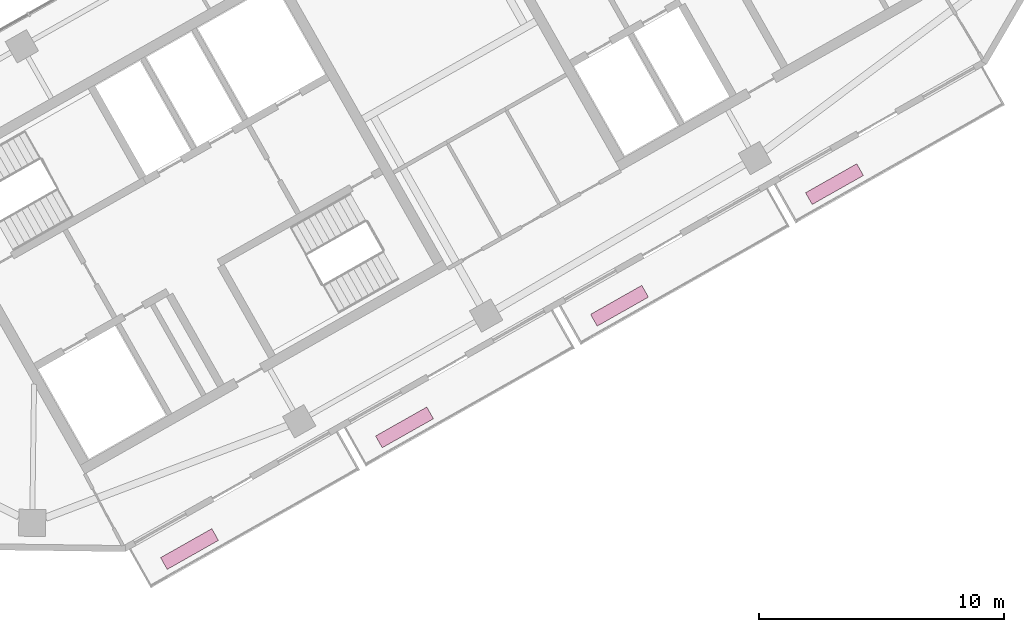
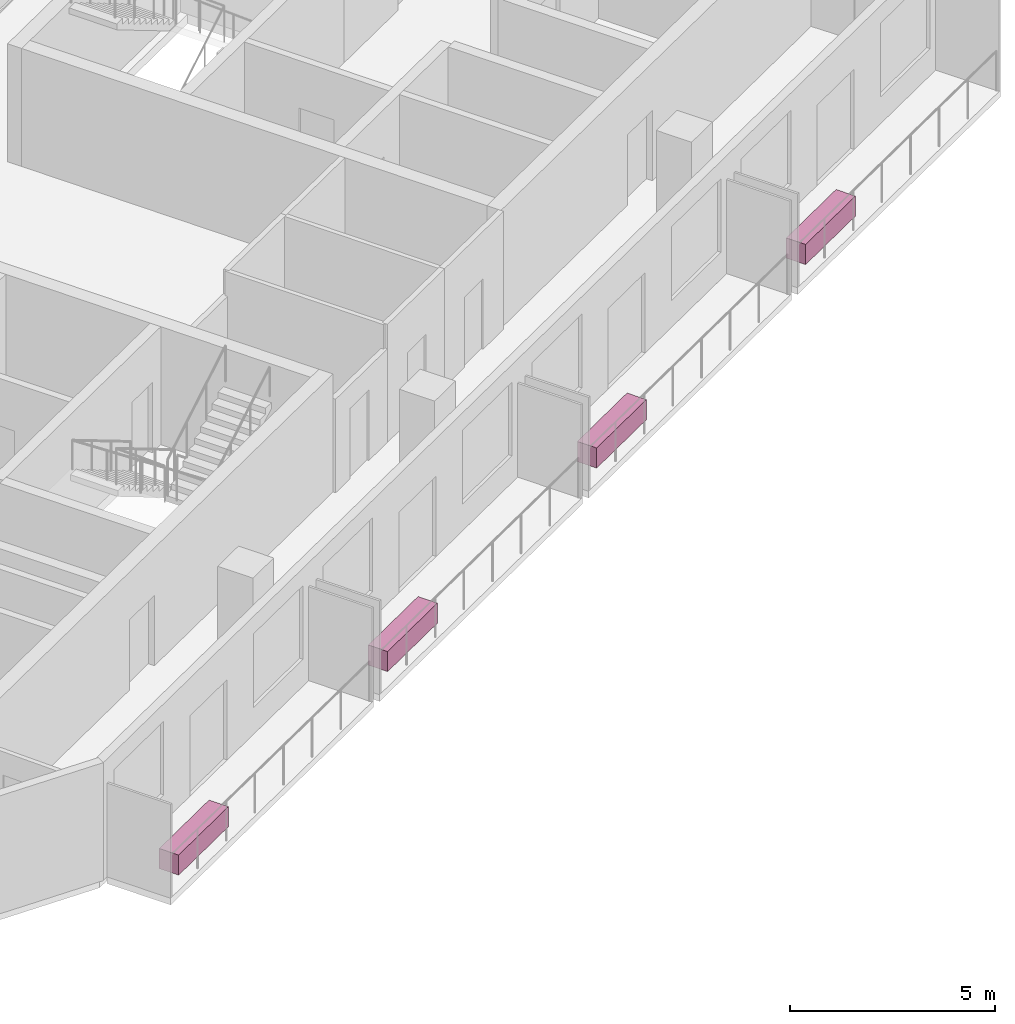
# One storey, part 10 of 10: 4 furnishings.
"""IFC4 building model written with IfcOpenShell, lengths in metres."""

from ifc_helpers import new_model, si_unit, direction, frame, origin, origin_2d, place, context, subcontext, project, spatial, rectangle, extrude, material, type_object, element, save


model = new_model("IFC4")

# Units and contexts
model_context = context("Model", 3, precision=1e-05, world=origin(), true_north=direction((0.0, 1.0)))
body_context = subcontext(model_context, "Body", "Model", "MODEL_VIEW")
ifc_project = project(units=[si_unit("LENGTHUNIT", "METRE"), si_unit("AREAUNIT", "SQUARE_METRE"), si_unit("VOLUMEUNIT", "CUBIC_METRE"), si_unit("PLANEANGLEUNIT", "RADIAN"), si_unit("MASSUNIT", "GRAM", prefix="KILO")], contexts=[model_context])

# Site, building, storey
site_placement = place(None, origin())
site = spatial("IfcSite", under=ifc_project, at=site_placement, CompositionType="ELEMENT")
building_placement = place(site_placement, origin())
building = spatial("IfcBuilding", under=site, at=building_placement, Name="Binnacle Exchange Tower", CompositionType="ELEMENT")
storey_placement = place(building_placement, frame((0.0, 0.0, 331.699951171875)))
storey = spatial("IfcBuildingStorey", under=building, at=storey_placement, Name="L75", CompositionType="ELEMENT", Elevation=331.699951171875)

# Furnishings
ifc_material = material(Name="Concrete C35/45", Category="concrete")
furnishing_element_type = type_object("IfcFurnishingElementType", Name="PLANTER 2400x550x600", material=ifc_material)
for number, where, z_axis, x_axis, name in (
    (1, (-35.44677734375, 26.428466796875, 0.0), (0.0, 0.0, 1.0), (0.87035569594, 0.492423560103, 0.0), "Planter H07-B00a L75"),
    (2, (-26.683837890625, 31.38623046875, 0.0), (0.0, 0.0, 1.0), (0.87035569594, 0.492423560103, 0.0), "Planter H07-B01a L75"),
    (3, (-17.9208984375, 36.34423828125, 0.0), (0.0, 0.0, 1.0), (0.87035569594, 0.492423560103, 0.0), "Planter H07-B02a L75"),
    (4, (-9.158203125, 41.302001953125, 0.0), (0.0, 0.0, 1.0), (0.87035569594, 0.492423560103, 0.0), "Planter H07-B03a L75"),
):
    element("IfcFurnishingElement", number, at=place(storey_placement, frame(where, z_axis=z_axis, x_axis=x_axis)), inside=storey, type_object=furnishing_element_type, Name=name, ObjectType="PLANTER", context=body_context, shape_type="SweptSolid", body=[
        extrude(rectangle(XDim=2.39990234375, YDim=0.550048828125, at=origin_2d()), origin(), (0.0, 0.0, 1.0), 0.60009765625),
    ])

save(model, "model.ifc")
